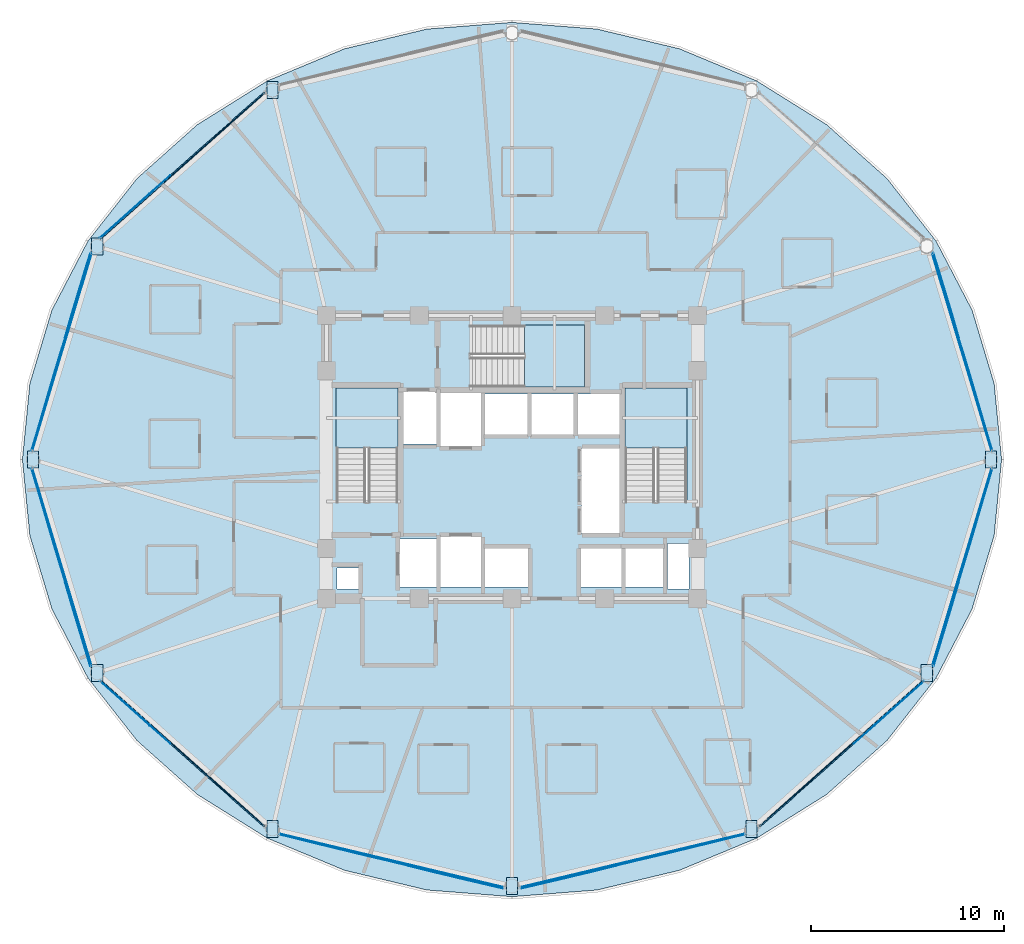
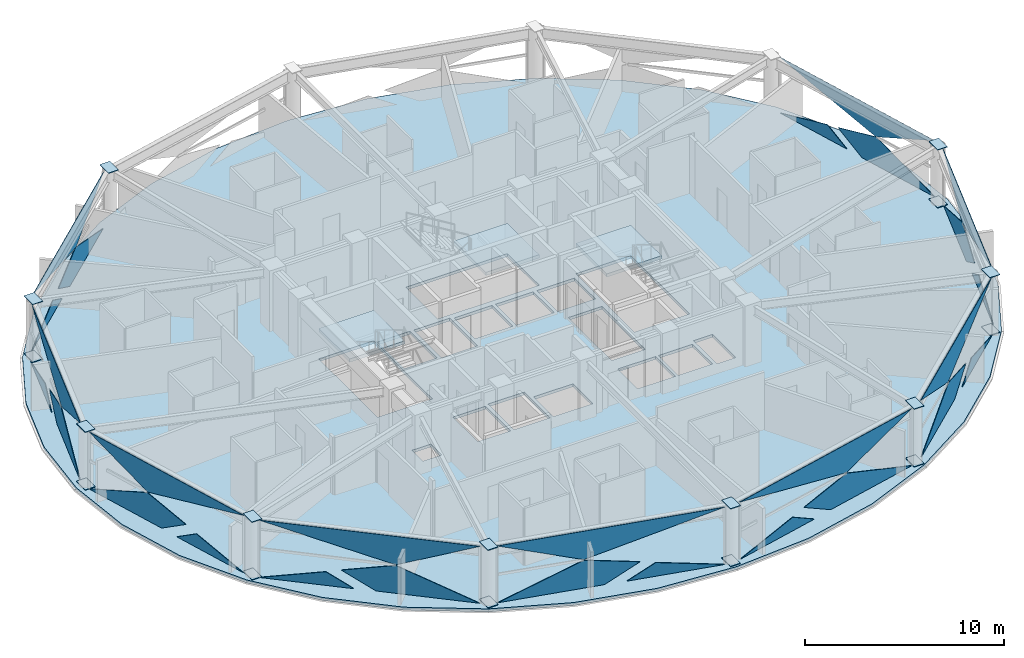
# One storey, part 21 of 30: 44 plates, 4 slabs, 12 elements without a shape of their own.
"""IFC4 building model written with IfcOpenShell, lengths in metres."""

from ifc_helpers import new_model, si_unit, direction, frame, origin, place, context, subcontext, project, spatial, polyline, outline, extrude, material, layer, layer_set, type_object, element, aggregate, save


model = new_model("IFC4")

# Units and contexts
model_context = context("Model", 3, precision=1e-05, world=origin(), true_north=direction((0.0, 1.0)))
body_context = subcontext(model_context, "Body", "Model", "MODEL_VIEW")
ifc_project = project(units=[si_unit("LENGTHUNIT", "METRE"), si_unit("AREAUNIT", "SQUARE_METRE"), si_unit("VOLUMEUNIT", "CUBIC_METRE"), si_unit("PLANEANGLEUNIT", "RADIAN"), si_unit("MASSUNIT", "GRAM", prefix="KILO")], contexts=[model_context])

# Site, building, storey
site_placement = place(None, origin())
site = spatial("IfcSite", under=ifc_project, at=site_placement, CompositionType="ELEMENT")
building_placement = place(site_placement, origin())
building = spatial("IfcBuilding", under=site, at=building_placement, Name="Vantalir Tower", CompositionType="ELEMENT")
storey_placement = place(building_placement, frame((0.0, 0.0, 153.449951171875)))
storey = spatial("IfcBuildingStorey", under=building, at=storey_placement, Name="L38", CompositionType="ELEMENT", Elevation=153.449951171875)

# Curtain wall, plates
ifc_material_1 = material(Name="Champagne-silver PVDF aluminium and double-silver Low-E glass", Category="aluminium")
ifc_layer_1 = layer(ifc_material_1, 0.199951171875)
ifc_layer_set_1 = layer_set([ifc_layer_1], Name="Champagne-silver PVDF aluminium and double-silver Low-E glass")
curtain_wall_type = type_object("IfcCurtainWallType", Name="CW-DIAMOND-Z2", PredefinedType="USERDEFINED", material=ifc_layer_set_1)
curtain_wall_1_placement = place(storey_placement, origin())
curtain_wall_1 = element("IfcCurtainWall", 1, at=curtain_wall_1_placement, inside=storey, type_object=curtain_wall_type, Name="L38 Quilted Pyramid-Diamond Curtain Wall S01", ObjectType="UNITISED CURTAIN WALL", PredefinedType="USERDEFINED")
ifc_material_2 = material(Name="Double-silver Low-E laminated glass IGU", Category="glass")
ifc_layer_2 = layer(ifc_material_2, 0.028076171875)
ifc_layer_set_2 = layer_set([ifc_layer_2], Name="Double-silver Low-E laminated glass IGU")
plate_type_1 = type_object("IfcPlateType", Name="CWP-IGU-28", PredefinedType="CURTAIN_PANEL", material=ifc_layer_set_2)
plate_1_placement = place(storey_placement, frame((56.342041015625, 25.435546875, 0.046875), z_axis=(-0.957566913957, -0.287888346912, 0.013634698631), x_axis=(-0.287915742147, 0.957655743513, -4.838949e-05)))
plate_1 = element("IfcPlate", 2, at=plate_1_placement, type_object=plate_type_1, Name="CW-L38-S01 Pyramid Diamond Facet 1L", PredefinedType="CURTAIN_PANEL", context=body_context, shape_type="SweptSolid", body=[
    extrude(outline(polyline([(0.0, 0.0), (5.034458357519594, 2.168404344971009e-18), (6.719622438079555, -1.0382634708680605), (4.073073516229771, -1.726432324139746), (0.0, 0.0)])), origin(), (0.0, 0.0, -1.0), 0.028076171875),
])
plate_2_placement = place(storey_placement, frame((54.610595703125, 31.30615234375, 0.046142578125), z_axis=(-0.957551992968, -0.287935586513, 0.013684983867), x_axis=(-0.287962552413, 0.95764167015, 0.0)))
plate_2 = element("IfcPlate", 3, at=plate_2_placement, type_object=plate_type_1, Name="CW-L38-S01 Pyramid Diamond Facet 1L Infill Light", PredefinedType="CURTAIN_PANEL", context=body_context, shape_type="SweptSolid", body=[
    extrude(outline(polyline([(0.0, 0.0), (4.590949320649077, -3.469446951953614e-18), (1.3625101502766328, -0.8396782400162731), (0.0, 0.0)])), origin(), (0.0, 0.0, -1.0), 0.028076171875),
])
plate_3_placement = place(storey_placement, frame((53.258056640625, 35.693359375, 3.5234375), z_axis=(0.957566223786, 0.287889443995, 0.013659981737), x_axis=(0.28791660525, -0.957655484974, -2.2792638e-05)))
plate_3 = element("IfcPlate", 4, at=plate_3_placement, type_object=plate_type_1, Name="CW-L38-S01 Pyramid Diamond Facet 2U", PredefinedType="CURTAIN_PANEL", context=body_context, shape_type="SweptSolid", body=[
    extrude(outline(polyline([(0.0, 0.0), (10.711380721923996, -4.0657581468206416e-19), (6.6382630411626815, 1.7263281259955592), (0.0, 0.0)])), origin(), (0.0, 0.0, -1.0), 0.028076171875),
])
aggregate(curtain_wall_1, [plate_1, plate_2, plate_3])

curtain_wall_2_placement = place(storey_placement, origin())
curtain_wall_2 = element("IfcCurtainWall", 5, at=curtain_wall_2_placement, inside=storey, type_object=curtain_wall_type, Name="L38 Quilted Pyramid-Diamond Curtain Wall S05", ObjectType="UNITISED CURTAIN WALL", PredefinedType="USERDEFINED")
plate_4_placement = place(storey_placement, frame((18.67431640625, 43.974365234375, 0.046630859375), z_axis=(0.665364839777, -0.746389940748, 0.013845083552), x_axis=(-0.746461490425, -0.665428616241, 3.27085e-07)))
plate_4 = element("IfcPlate", 6, at=plate_4_placement, type_object=plate_type_1, Name="CW-L38-S05 Pyramid Diamond Facet 1L", PredefinedType="CURTAIN_PANEL", context=body_context, shape_type="SweptSolid", body=[
    extrude(outline(polyline([(0.0, 0.0), (5.336589688107844, 0.0), (7.112925685285545, -1.0384272825281444), (4.314463159447936, -1.7267283373698534), (0.0, 0.0)])), origin(), (0.0, 0.0, -1.0), 0.028076171875),
])
plate_5_placement = place(storey_placement, frame((13.826416015625, 39.69580078125, 0.046142578125), z_axis=(0.665345002922, -0.746408645149, 0.013789906969), x_axis=(-0.74647916335, -0.665408788769, -5.0136286e-05)))
plate_5 = element("IfcPlate", 7, at=plate_5_placement, type_object=plate_type_1, Name="CW-L38-S05 Pyramid Diamond Facet 1L Infill Light", PredefinedType="CURTAIN_PANEL", context=body_context, shape_type="SweptSolid", body=[
    extrude(outline(polyline([(0.0, 0.0), (4.86953949164861, -6.5865281978494394e-18), (1.4417227021834769, -0.843170034872012), (0.0, 0.0)])), origin(), (0.0, 0.0, -1.0), 0.028076171875),
])
plate_6_placement = place(storey_placement, frame((10.212646484375, 36.431640625, 3.523681640625), z_axis=(-0.665345833599, 0.746406703398, 0.0138547766), x_axis=(0.74647815315, 0.665409923586, -2.1537787e-05)))
plate_6 = element("IfcPlate", 8, at=plate_6_placement, type_object=plate_type_1, Name="CW-L38-S05 Pyramid Diamond Facet 2U", PredefinedType="CURTAIN_PANEL", context=body_context, shape_type="SweptSolid", body=[
    extrude(outline(polyline([(0.0, 0.0), (11.335455547054119, 6.559423143537302e-18), (7.021029539217253, 1.7268211673781466), (0.0, 0.0)])), origin(), (0.0, 0.0, -1.0), 0.028076171875),
])
aggregate(curtain_wall_2, [plate_4, plate_5, plate_6])

curtain_wall_3_placement = place(storey_placement, origin())
curtain_wall_3 = element("IfcCurtainWall", 9, at=curtain_wall_3_placement, inside=storey, type_object=curtain_wall_type, Name="L38 Quilted Pyramid-Diamond Curtain Wall S06", ObjectType="UNITISED CURTAIN WALL", PredefinedType="USERDEFINED")
plate_7_placement = place(storey_placement, frame((8.107421875, 30.2568359375, 0.046630859375), z_axis=(0.957566913957, -0.287888346912, 0.013634698631), x_axis=(-0.287915742147, -0.957655743513, 4.838949e-05)))
plate_7 = element("IfcPlate", 10, at=plate_7_placement, type_object=plate_type_1, Name="CW-L38-S06 Pyramid Diamond Facet 1L", PredefinedType="CURTAIN_PANEL", context=body_context, shape_type="SweptSolid", body=[
    extrude(outline(polyline([(0.0, 0.0), (5.034458357519594, -2.168404344971009e-18), (0.9613848412898236, -1.726432324139746), (-1.6851640805599613, -1.0382634708680605), (0.0, 0.0)])), origin(), (0.0, 0.0, -1.0), 0.028076171875),
])
plate_8_placement = place(storey_placement, frame((9.71142578125, 35.70263671875, 0.046142578125), z_axis=(0.957551992968, -0.287935586513, 0.013684983867), x_axis=(-0.287962552413, -0.95764167015, 0.0)))
plate_8 = element("IfcPlate", 11, at=plate_8_placement, type_object=plate_type_1, Name="CW-L38-S06 Pyramid Diamond Facet 1L Infill Light", PredefinedType="CURTAIN_PANEL", context=body_context, shape_type="SweptSolid", body=[
    extrude(outline(polyline([(0.0, 0.0), (4.590949320649077, 3.469446951953614e-18), (3.2284391703724444, -0.8396782400162731), (0.0, 0.0)])), origin(), (0.0, 0.0, -1.0), 0.028076171875),
])
plate_9_placement = place(storey_placement, frame((6.657958984375, 25.435546875, 3.523193359375), z_axis=(-0.957566223786, 0.287889443995, 0.013659981737), x_axis=(0.28791660525, 0.957655484974, 2.2792638e-05)))
plate_9 = element("IfcPlate", 12, at=plate_9_placement, type_object=plate_type_1, Name="CW-L38-S06 Pyramid Diamond Facet 2U", PredefinedType="CURTAIN_PANEL", context=body_context, shape_type="SweptSolid", body=[
    extrude(outline(polyline([(0.0, 0.0), (10.711380721923996, 4.0657581468206416e-19), (4.073117680761316, 1.7263281259955592), (0.0, 0.0)])), origin(), (0.0, 0.0, -1.0), 0.028076171875),
])
aggregate(curtain_wall_3, [plate_7, plate_8, plate_9])

curtain_wall_4_placement = place(storey_placement, origin())
curtain_wall_4 = element("IfcCurtainWall", 13, at=curtain_wall_4_placement, inside=storey, type_object=curtain_wall_type, Name="L38 Quilted Pyramid-Diamond Curtain Wall S07", ObjectType="UNITISED CURTAIN WALL", PredefinedType="USERDEFINED")
plate_10_placement = place(storey_placement, frame((6.657958984375, 24.564453125, 0.046875), z_axis=(0.957574475188, 0.287864461801, 0.013607942525), x_axis=(0.287891748073, -0.957662956918, -4.8346186e-05)))
plate_10 = element("IfcPlate", 14, at=plate_10_placement, type_object=plate_type_1, Name="CW-L38-S07 Pyramid Diamond Facet 1L", PredefinedType="CURTAIN_PANEL", context=body_context, shape_type="SweptSolid", body=[
    extrude(outline(polyline([(0.0, 0.0), (5.034925965771087, 3.6591823321385775e-18), (6.720090444480758, -1.0382628240103766), (4.0733079848823035, -1.7264317251786228), (0.0, 0.0)])), origin(), (0.0, 0.0, -1.0), 0.028076171875),
])
plate_11_placement = place(storey_placement, frame((8.389404296875, 18.693359375, 0.046142578125), z_axis=(0.957560363767, 0.287906128251, 0.013719003516), x_axis=(0.287933225634, -0.957650488214, 0.0)))
plate_11 = element("IfcPlate", 15, at=plate_11_placement, type_object=plate_type_1, Name="CW-L38-S07 Pyramid Diamond Facet 1L Infill Light", PredefinedType="CURTAIN_PANEL", context=body_context, shape_type="SweptSolid", body=[
    extrude(outline(polyline([(0.0, 0.0), (4.591416921273787, 0.0), (1.3627443029242376, -0.8396786314949723), (0.0, 0.0)])), origin(), (0.0, 0.0, -1.0), 0.028076171875),
])
plate_12_placement = place(storey_placement, frame((9.741943359375, 14.3056640625, 3.5234375), z_axis=(-0.957574056886, -0.287864394284, 0.013638771276), x_axis=(-0.287891469353, 0.957663041656, -2.2790648e-05)))
plate_12 = element("IfcPlate", 16, at=plate_12_placement, type_object=plate_type_1, Name="CW-L38-S07 Pyramid Diamond Facet 2U", PredefinedType="CURTAIN_PANEL", context=body_context, shape_type="SweptSolid", body=[
    extrude(outline(polyline([(0.0, 0.0), (10.712315936048489, 6.965998958219366e-18), (6.638963829850021, 1.7263276233514293), (0.0, 0.0)])), origin(), (0.0, 0.0, -1.0), 0.028076171875),
])
aggregate(curtain_wall_4, [plate_10, plate_11, plate_12])

curtain_wall_5_placement = place(storey_placement, origin())
curtain_wall_5 = element("IfcCurtainWall", 17, at=curtain_wall_5_placement, inside=storey, type_object=curtain_wall_type, Name="L38 Quilted Pyramid-Diamond Curtain Wall S08", ObjectType="UNITISED CURTAIN WALL", PredefinedType="USERDEFINED")
plate_13_placement = place(storey_placement, frame((14.690185546875, 9.576171875, 0.046630859375), z_axis=(0.665333561856, 0.746419304299, 0.013764942365), x_axis=(0.746490026247, -0.665396604075, 1.63045e-07)))
plate_13 = element("IfcPlate", 18, at=plate_13_placement, type_object=plate_type_1, Name="CW-L38-S08 Pyramid Diamond Facet 1L", PredefinedType="CURTAIN_PANEL", context=body_context, shape_type="SweptSolid", body=[
    extrude(outline(polyline([(0.0, 0.0), (5.3359002908382855, -6.938893903907228e-18), (1.0219638983916277, -1.726725925645532), (-1.7761736474333678, -1.038429619890012), (0.0, 0.0)])), origin(), (0.0, 0.0, -1.0), 0.028076171875),
])
plate_14_placement = place(storey_placement, frame((10.19140625, 13.54345703125, 0.0458984375), z_axis=(0.665366409752, 0.74638863552, 0.013839997853), x_axis=(0.746459666732, -0.66543066012, 5.0141712e-05)))
plate_14 = element("IfcPlate", 19, at=plate_14_placement, type_object=plate_type_1, Name="CW-L38-S08 Pyramid Diamond Facet 1L Infill Light", PredefinedType="CURTAIN_PANEL", context=body_context, shape_type="SweptSolid", body=[
    extrude(outline(polyline([(0.0, 0.0), (4.869012548642021, -2.927345865710862e-18), (3.4272901923268257, -0.8431706262662725), (0.0, 0.0)])), origin(), (0.0, 0.0, -1.0), 0.028076171875),
])
plate_15_placement = place(storey_placement, frame((18.67333984375, 6.025634765625, 3.5234375), z_axis=(-0.66534154062, -0.746412380464, 0.013754730655), x_axis=(-0.746482801, 0.665404709442, 2.1540407e-05)))
plate_15 = element("IfcPlate", 20, at=plate_15_placement, type_object=plate_type_1, Name="CW-L38-S08 Pyramid Diamond Facet 2U", PredefinedType="CURTAIN_PANEL", context=body_context, shape_type="SweptSolid", body=[
    extrude(outline(polyline([(0.0, 0.0), (11.334076750380675, -2.520770051028798e-18), (4.313899224444293, 1.7268187819530145), (0.0, 0.0)])), origin(), (0.0, 0.0, -1.0), 0.028076171875),
])
aggregate(curtain_wall_5, [plate_13, plate_14, plate_15])

curtain_wall_6_placement = place(storey_placement, origin())
curtain_wall_6 = element("IfcCurtainWall", 21, at=curtain_wall_6_placement, inside=storey, type_object=curtain_wall_type, Name="L38 Quilted Pyramid-Diamond Curtain Wall S09", ObjectType="UNITISED CURTAIN WALL", PredefinedType="USERDEFINED")
plate_16_placement = place(storey_placement, frame((19.45556640625, 5.617431640625, 0.046630859375), z_axis=(0.232287094158, 0.972551780071, 0.013628681833), x_axis=(0.97264211356, -0.232308671662, 1.42105e-07)))
plate_16 = element("IfcPlate", 22, at=plate_16_placement, type_object=plate_type_1, Name="CW-L38-S09 Pyramid Diamond Facet 1L", PredefinedType="CURTAIN_PANEL", context=body_context, shape_type="SweptSolid", body=[
    extrude(outline(polyline([(0.0, 0.0), (5.624342736639577, 0.0), (7.485415204821628, -1.0379371313593602), (4.535822048992081, -1.7269671870365577), (0.0, 0.0)])), origin(), (0.0, 0.0, -1.0), 0.028076171875),
])
plate_17_placement = place(storey_placement, frame((26.055419921875, 4.00830078125, 0.046142578125), z_axis=(0.232276059095, 0.972552154704, 0.013789080899), x_axis=(0.972644779023, -0.232297506614, -4.7543493e-05)))
plate_17 = element("IfcPlate", 23, at=plate_17_placement, type_object=plate_type_1, Name="CW-L38-S09 Pyramid Diamond Facet 1L Infill Light", PredefinedType="CURTAIN_PANEL", context=body_context, shape_type="SweptSolid", body=[
    extrude(outline(polyline([(0.0, 0.0), (5.135100721218333, -2.439454888092385e-18), (1.5160648839122943, -0.8453672960876546), (0.0, 0.0)])), origin(), (0.0, 0.0, -1.0), 0.028076171875),
])
plate_18_placement = place(storey_placement, frame((31.0576171875, 2.8466796875, 3.523681640625), z_axis=(-0.232262020823, -0.972556350699, 0.013729471903), x_axis=(-0.972648091392, 0.232283641034, -2.0467322e-05)))
plate_18 = element("IfcPlate", 24, at=plate_18_placement, type_object=plate_type_1, Name="CW-L38-S09 Pyramid Diamond Facet 2U", PredefinedType="CURTAIN_PANEL", context=body_context, shape_type="SweptSolid", body=[
    extrude(outline(polyline([(0.0, 0.0), (11.928312905690158, -1.8973538018496328e-18), (7.392527054850973, 1.7270622582842574), (0.0, 0.0)])), origin(), (0.0, 0.0, -1.0), 0.028076171875),
])
aggregate(curtain_wall_6, [plate_16, plate_17, plate_18])

curtain_wall_7_placement = place(storey_placement, origin())
curtain_wall_7 = element("IfcCurtainWall", 25, at=curtain_wall_7_placement, inside=storey, type_object=curtain_wall_type, Name="L38 Quilted Pyramid-Diamond Curtain Wall S10", ObjectType="UNITISED CURTAIN WALL", PredefinedType="USERDEFINED")
plate_19_placement = place(storey_placement, frame((38.073974609375, 4.310791015625, 0.046630859375), z_axis=(-0.232287094158, 0.972551780071, 0.013628681833), x_axis=(0.97264211356, 0.232308671662, -1.42105e-07)))
plate_19 = element("IfcPlate", 26, at=plate_19_placement, type_object=plate_type_1, Name="CW-L38-S10 Pyramid Diamond Facet 1L", PredefinedType="CURTAIN_PANEL", context=body_context, shape_type="SweptSolid", body=[
    extrude(outline(polyline([(0.0, 0.0), (5.624342736639577, 0.0), (1.0885206876474949, -1.7269671870365577), (-1.861072468182051, -1.0379371313593602), (0.0, 0.0)])), origin(), (0.0, 0.0, -1.0), 0.028076171875),
])
plate_20_placement = place(storey_placement, frame((31.949951171875, 2.8154296875, 0.0458984375), z_axis=(-0.232276059095, 0.972552154704, 0.013789080899), x_axis=(0.972644779023, 0.232297506614, 4.7543493e-05)))
plate_20 = element("IfcPlate", 27, at=plate_20_placement, type_object=plate_type_1, Name="CW-L38-S10 Pyramid Diamond Facet 1L Infill Light", PredefinedType="CURTAIN_PANEL", context=body_context, shape_type="SweptSolid", body=[
    extrude(outline(polyline([(0.0, 0.0), (5.135100721218333, 2.439454888092385e-18), (3.619035837306038, -0.8453672960876545), (0.0, 0.0)])), origin(), (0.0, 0.0, -1.0), 0.028076171875),
])
plate_21_placement = place(storey_placement, frame((43.54443359375, 5.617431640625, 3.5234375), z_axis=(0.232262020823, -0.972556350699, 0.013729471903), x_axis=(-0.972648091392, -0.232283641034, 2.0467322e-05)))
plate_21 = element("IfcPlate", 28, at=plate_21_placement, type_object=plate_type_1, Name="CW-L38-S10 Pyramid Diamond Facet 2U", PredefinedType="CURTAIN_PANEL", context=body_context, shape_type="SweptSolid", body=[
    extrude(outline(polyline([(0.0, 0.0), (11.928312905690158, 1.8973538018496328e-18), (4.535785850839186, 1.7270622582842574), (0.0, 0.0)])), origin(), (0.0, 0.0, -1.0), 0.028076171875),
])
aggregate(curtain_wall_7, [plate_19, plate_20, plate_21])

curtain_wall_8_placement = place(storey_placement, origin())
curtain_wall_8 = element("IfcCurtainWall", 29, at=curtain_wall_8_placement, inside=storey, type_object=curtain_wall_type, Name="L38 Quilted Pyramid-Diamond Curtain Wall S11", ObjectType="UNITISED CURTAIN WALL", PredefinedType="USERDEFINED")
plate_22_placement = place(storey_placement, frame((44.32666015625, 6.025634765625, 0.046630859375), z_axis=(-0.665333561856, 0.746419304299, 0.013764942365), x_axis=(0.746490026247, 0.665396604075, -1.63045e-07)))
plate_22 = element("IfcPlate", 30, at=plate_22_placement, type_object=plate_type_1, Name="CW-L38-S11 Pyramid Diamond Facet 1L", PredefinedType="CURTAIN_PANEL", context=body_context, shape_type="SweptSolid", body=[
    extrude(outline(polyline([(0.0, 0.0), (5.3359002908382855, 6.938893903907228e-18), (7.112073938271654, -1.038429619890012), (4.313936392446658, -1.726725925645532), (0.0, 0.0)])), origin(), (0.0, 0.0, -1.0), 0.028076171875),
])
plate_23_placement = place(storey_placement, frame((49.174072265625, 10.303466796875, 0.046142578125), z_axis=(-0.665366409752, 0.74638863552, 0.013839997853), x_axis=(0.746459666732, 0.66543066012, -5.0141712e-05)))
plate_23 = element("IfcPlate", 31, at=plate_23_placement, type_object=plate_type_1, Name="CW-L38-S11 Pyramid Diamond Facet 1L Infill Light", PredefinedType="CURTAIN_PANEL", context=body_context, shape_type="SweptSolid", body=[
    extrude(outline(polyline([(0.0, 0.0), (4.869012548642021, 2.927345865710862e-18), (1.441722356315195, -0.8431706262662725), (0.0, 0.0)])), origin(), (0.0, 0.0, -1.0), 0.028076171875),
])
plate_24_placement = place(storey_placement, frame((52.787353515625, 13.5673828125, 3.523681640625), z_axis=(0.66534154062, -0.746412380464, 0.013754730655), x_axis=(-0.746482801, -0.665404709442, -2.1540407e-05)))
plate_24 = element("IfcPlate", 32, at=plate_24_placement, type_object=plate_type_1, Name="CW-L38-S11 Pyramid Diamond Facet 2U", PredefinedType="CURTAIN_PANEL", context=body_context, shape_type="SweptSolid", body=[
    extrude(outline(polyline([(0.0, 0.0), (11.334076750380675, 2.520770051028798e-18), (7.020177525936381, 1.7268187819530145), (0.0, 0.0)])), origin(), (0.0, 0.0, -1.0), 0.028076171875),
])
aggregate(curtain_wall_8, [plate_22, plate_23, plate_24])

curtain_wall_9_placement = place(storey_placement, origin())
curtain_wall_9 = element("IfcCurtainWall", 33, at=curtain_wall_9_placement, inside=storey, type_object=curtain_wall_type, Name="L38 Quilted Pyramid-Diamond Curtain Wall S12", ObjectType="UNITISED CURTAIN WALL", PredefinedType="USERDEFINED")
plate_25_placement = place(storey_placement, frame((54.892578125, 19.74267578125, 0.046630859375), z_axis=(-0.957574475188, 0.287864461801, 0.013607942525), x_axis=(0.287891748073, 0.957662956918, 4.8346186e-05)))
plate_25 = element("IfcPlate", 34, at=plate_25_placement, type_object=plate_type_1, Name="CW-L38-S12 Pyramid Diamond Facet 1L", PredefinedType="CURTAIN_PANEL", context=body_context, shape_type="SweptSolid", body=[
    extrude(outline(polyline([(0.0, 0.0), (5.034925965771087, -3.6591823321385775e-18), (0.9616179808887839, -1.7264317251786228), (-1.6851644787096713, -1.0382628240103766), (0.0, 0.0)])), origin(), (0.0, 0.0, -1.0), 0.028076171875),
])
plate_26_placement = place(storey_placement, frame((53.28857421875, 14.29638671875, 0.046142578125), z_axis=(-0.957560363767, 0.287906128251, 0.013719003516), x_axis=(0.287933225634, 0.957650488214, 0.0)))
plate_26 = element("IfcPlate", 35, at=plate_26_placement, type_object=plate_type_1, Name="CW-L38-S12 Pyramid Diamond Facet 1L Infill Light", PredefinedType="CURTAIN_PANEL", context=body_context, shape_type="SweptSolid", body=[
    extrude(outline(polyline([(0.0, 0.0), (4.591416921273787, 0.0), (3.2286726183495493, -0.8396786314949723), (0.0, 0.0)])), origin(), (0.0, 0.0, -1.0), 0.028076171875),
])
plate_27_placement = place(storey_placement, frame((56.342041015625, 24.564453125, 3.523193359375), z_axis=(0.957574056886, -0.287864394284, 0.013638771276), x_axis=(-0.287891469353, -0.957663041656, 2.2790648e-05)))
plate_27 = element("IfcPlate", 36, at=plate_27_placement, type_object=plate_type_1, Name="CW-L38-S12 Pyramid Diamond Facet 2U", PredefinedType="CURTAIN_PANEL", context=body_context, shape_type="SweptSolid", body=[
    extrude(outline(polyline([(0.0, 0.0), (10.712315936048489, -6.965998958219366e-18), (4.073352106198467, 1.7263276233514293), (0.0, 0.0)])), origin(), (0.0, 0.0, -1.0), 0.028076171875),
])
aggregate(curtain_wall_9, [plate_25, plate_26, plate_27])

# Plates
ifc_material_3 = material(Name="Steel S460", Category="steel")
ifc_layer_3 = layer(ifc_material_3, 0.035888671875)
ifc_layer_set_3 = layer_set([ifc_layer_3], Name="Steel S460")
plate_type_2 = type_object("IfcPlateType", Name="PLT-KN-Z2", PredefinedType="USERDEFINED", material=ifc_layer_set_3)
for number, where, z_axis, x_axis, name in (
    (37, (55.992919921875, 25.43994140625, 3.59814453125), (0.0, 0.0, 1.0), (0.0, -1.0, 0.0), "L38 Ring Column Top Cap RC01"),
    (38, (55.992919921875, 25.43994140625, 0.052978515625), (0.0, 0.0, 1.0), (0.0, -1.0, 0.0), "L38 Ring Column Base Cap RC01"),
):
    element("IfcPlate", number, at=place(storey_placement, frame(where, z_axis=z_axis, x_axis=x_axis)), inside=storey, type_object=plate_type_2, Name=name, ObjectType="FLANGE_PLATE", PredefinedType="USERDEFINED", context=body_context, shape_type="SweptSolid", body=[
        extrude(outline(polyline([(0.0, 0.0), (0.8798828125, 0.0), (0.8798828125, 0.580078125), (0.0, 0.580078125), (0.0, 0.0)])), origin(), (0.0, 0.0, -1.0), 0.035888671875),
    ])
plate_28_placement = place(storey_placement, frame((18.819091796875, 44.552001953125, 3.59814453125), z_axis=(0.0, 0.0, 1.0), x_axis=(0.0, -1.0, 0.0)))
element("IfcPlate", 39, at=plate_28_placement, inside=storey, type_object=plate_type_2, Name="L38 Ring Column Top Cap RC05", ObjectType="FLANGE_PLATE", PredefinedType="USERDEFINED", context=body_context, shape_type="SweptSolid", body=[
    extrude(outline(polyline([(0.0, 0.0), (0.8798828125, 0.0), (0.8798828125, 0.579833984375), (0.0, 0.579833984375), (0.0, 0.0)])), origin(), (0.0, 0.0, -1.0), 0.035888671875),
])
for number, where, z_axis, x_axis, name in (
    (40, (9.7470703125, 36.47412109375, 3.59814453125), (0.0, 0.0, 1.0), (0.0, -1.0, 0.0), "L38 Ring Column Top Cap RC06"),
    (41, (9.7470703125, 36.47412109375, 0.052978515625), (0.0, 0.0, 1.0), (0.0, -1.0, 0.0), "L38 Ring Column Base Cap RC06"),
):
    element("IfcPlate", number, at=place(storey_placement, frame(where, z_axis=z_axis, x_axis=x_axis)), inside=storey, type_object=plate_type_2, Name=name, ObjectType="FLANGE_PLATE", PredefinedType="USERDEFINED", context=body_context, shape_type="SweptSolid", body=[
        extrude(outline(polyline([(0.0, 0.0), (0.880126953125, 0.0), (0.880126953125, 0.579833984375), (0.0, 0.579833984375), (0.0, 0.0)])), origin(), (0.0, 0.0, -1.0), 0.035888671875),
    ])
for number, where, z_axis, x_axis, name in (
    (42, (6.427001953125, 25.43994140625, 3.59814453125), (0.0, 0.0, 1.0), (0.0, -1.0, 0.0), "L38 Ring Column Top Cap RC07"),
    (43, (6.427001953125, 25.43994140625, 0.052978515625), (0.0, 0.0, 1.0), (0.0, -1.0, 0.0), "L38 Ring Column Base Cap RC07"),
):
    element("IfcPlate", number, at=place(storey_placement, frame(where, z_axis=z_axis, x_axis=x_axis)), inside=storey, type_object=plate_type_2, Name=name, ObjectType="FLANGE_PLATE", PredefinedType="USERDEFINED", context=body_context, shape_type="SweptSolid", body=[
        extrude(outline(polyline([(0.0, 0.0), (0.8798828125, 0.0), (0.8798828125, 0.580078125), (0.0, 0.580078125), (0.0, 0.0)])), origin(), (0.0, 0.0, -1.0), 0.035888671875),
    ])
for number, where, z_axis, x_axis, name in (
    (44, (9.7470703125, 14.405029296875, 3.59814453125), (0.0, 0.0, 1.0), (0.0, -1.0, 0.0), "L38 Ring Column Top Cap RC08"),
    (45, (9.7470703125, 14.405029296875, 0.052978515625), (0.0, 0.0, 1.0), (0.0, -1.0, 0.0), "L38 Ring Column Base Cap RC08"),
):
    element("IfcPlate", number, at=place(storey_placement, frame(where, z_axis=z_axis, x_axis=x_axis)), inside=storey, type_object=plate_type_2, Name=name, ObjectType="FLANGE_PLATE", PredefinedType="USERDEFINED", context=body_context, shape_type="SweptSolid", body=[
        extrude(outline(polyline([(0.0, 0.0), (0.880126953125, 0.0), (0.880126953125, 0.579833984375), (0.0, 0.579833984375), (0.0, 0.0)])), origin(), (0.0, 0.0, -1.0), 0.035888671875),
    ])
for number, where, z_axis, x_axis, name in (
    (46, (18.818115234375, 6.327880859375, 3.59814453125), (0.0, 0.0, 1.0), (0.0, -1.0, 0.0), "L38 Ring Column Top Cap RC09"),
    (47, (18.818115234375, 6.327880859375, 0.052978515625), (0.0, 0.0, 1.0), (0.0, -1.0, 0.0), "L38 Ring Column Base Cap RC09"),
):
    element("IfcPlate", number, at=place(storey_placement, frame(where, z_axis=z_axis, x_axis=x_axis)), inside=storey, type_object=plate_type_2, Name=name, ObjectType="FLANGE_PLATE", PredefinedType="USERDEFINED", context=body_context, shape_type="SweptSolid", body=[
        extrude(outline(polyline([(0.0, 0.0), (0.8798828125, 0.0), (0.8798828125, 0.579833984375), (0.0, 0.579833984375), (0.0, 0.0)])), origin(), (0.0, 0.0, -1.0), 0.035888671875),
    ])
for number, where, z_axis, x_axis, name in (
    (48, (31.2099609375, 3.37109375, 3.59814453125), (0.0, 0.0, 1.0), (0.0, -1.0, 0.0), "L38 Ring Column Top Cap RC10"),
    (49, (31.2099609375, 3.37109375, 0.052978515625), (0.0, 0.0, 1.0), (0.0, -1.0, 0.0), "L38 Ring Column Base Cap RC10"),
):
    element("IfcPlate", number, at=place(storey_placement, frame(where, z_axis=z_axis, x_axis=x_axis)), inside=storey, type_object=plate_type_2, Name=name, ObjectType="FLANGE_PLATE", PredefinedType="USERDEFINED", context=body_context, shape_type="SweptSolid", body=[
        extrude(outline(polyline([(0.0, 0.0), (0.880126953125, 0.0), (0.880126953125, 0.580078125), (0.0, 0.580078125), (0.0, 0.0)])), origin(), (0.0, 0.0, -1.0), 0.035888671875),
    ])
for number, where, z_axis, x_axis, name in (
    (50, (43.60205078125, 6.327880859375, 3.59814453125), (0.0, 0.0, 1.0), (0.0, -1.0, 0.0), "L38 Ring Column Top Cap RC11"),
    (51, (43.60205078125, 6.327880859375, 0.052978515625), (0.0, 0.0, 1.0), (0.0, -1.0, 0.0), "L38 Ring Column Base Cap RC11"),
):
    element("IfcPlate", number, at=place(storey_placement, frame(where, z_axis=z_axis, x_axis=x_axis)), inside=storey, type_object=plate_type_2, Name=name, ObjectType="FLANGE_PLATE", PredefinedType="USERDEFINED", context=body_context, shape_type="SweptSolid", body=[
        extrude(outline(polyline([(0.0, 0.0), (0.8798828125, 0.0), (0.8798828125, 0.579833984375), (0.0, 0.579833984375), (0.0, 0.0)])), origin(), (0.0, 0.0, -1.0), 0.035888671875),
    ])
for number, where, z_axis, x_axis, name in (
    (52, (52.673095703125, 14.405029296875, 3.59814453125), (0.0, 0.0, 1.0), (0.0, -1.0, 0.0), "L38 Ring Column Top Cap RC12"),
    (53, (52.673095703125, 14.405029296875, 0.052978515625), (0.0, 0.0, 1.0), (0.0, -1.0, 0.0), "L38 Ring Column Base Cap RC12"),
):
    element("IfcPlate", number, at=place(storey_placement, frame(where, z_axis=z_axis, x_axis=x_axis)), inside=storey, type_object=plate_type_2, Name=name, ObjectType="FLANGE_PLATE", PredefinedType="USERDEFINED", context=body_context, shape_type="SweptSolid", body=[
        extrude(outline(polyline([(0.0, 0.0), (0.880126953125, 0.0), (0.880126953125, 0.579833984375), (0.0, 0.579833984375), (0.0, 0.0)])), origin(), (0.0, 0.0, -1.0), 0.035888671875),
    ])

# Stair, slab
ifc_material_4 = material(Name="Concrete C40/50", Category="concrete")
stair_type = type_object("IfcStairType", Name="STR-CORE-1450", PredefinedType="HALF_TURN_STAIR", material=ifc_material_4)
stair_1_placement = place(storey_placement, origin())
stair_1 = element("IfcStair", 54, at=stair_1_placement, inside=storey, type_object=stair_type, Name="L38 Core Exit Stair 1", PredefinedType="HALF_TURN_STAIR")
ifc_layer_4 = layer(ifc_material_4, 0.199951171875)
ifc_layer_set_4 = layer_set([ifc_layer_4], Name="Concrete C40/50")
slab_type_1 = type_object("IfcSlabType", Name="SL-LAND-200", PredefinedType="LANDING", material=ifc_layer_set_4)
slab_1_placement = place(storey_placement, frame((0.0, 0.0, 1.675048828125)))
slab_1 = element("IfcSlab", 55, at=slab_1_placement, type_object=slab_type_1, Name="ST1 landing 1", PredefinedType="LANDING", context=body_context, shape_type="SweptSolid", body=[
    extrude(outline(polyline([(25.60009765625, 25.590087890625), (25.60009765625, 28.699951171875), (22.39990234375, 28.699951171875), (22.39990234375, 25.590087890625), (25.60009765625, 25.590087890625)])), origin(), (0.0, 0.0, 1.0), 0.199951171875),
])
aggregate(stair_1, [slab_1])

stair_2_placement = place(storey_placement, origin())
stair_2 = element("IfcStair", 56, at=stair_2_placement, inside=storey, type_object=stair_type, Name="L38 Core Exit Stair 2", PredefinedType="HALF_TURN_STAIR")
slab_2_placement = place(storey_placement, frame((0.0, 0.0, 1.675048828125)))
slab_2 = element("IfcSlab", 57, at=slab_2_placement, type_object=slab_type_1, Name="ST2 landing 1", PredefinedType="LANDING", context=body_context, shape_type="SweptSolid", body=[
    extrude(outline(polyline([(40.550048828125, 25.590087890625), (40.550048828125, 28.699951171875), (37.35009765625, 28.699951171875), (37.35009765625, 25.590087890625), (40.550048828125, 25.590087890625)])), origin(), (0.0, 0.0, 1.0), 0.199951171875),
])
aggregate(stair_2, [slab_2])

stair_3_placement = place(storey_placement, origin())
stair_3 = element("IfcStair", 58, at=stair_3_placement, inside=storey, type_object=stair_type, Name="L38 Core Exit Stair 3", PredefinedType="HALF_TURN_STAIR")
slab_3_placement = place(storey_placement, frame((0.0, 0.0, 1.675048828125)))
slab_3 = element("IfcSlab", 59, at=slab_3_placement, type_object=slab_type_1, Name="ST3 landing 1", PredefinedType="LANDING", context=body_context, shape_type="SweptSolid", body=[
    extrude(outline(polyline([(32.139892578125, 28.75), (35.25, 28.75), (35.25, 31.949951171875), (32.139892578125, 31.949951171875), (32.139892578125, 28.75)])), origin(), (0.0, 0.0, 1.0), 0.199951171875),
])
aggregate(stair_3, [slab_3])

# Slab
ifc_layer_5 = layer(ifc_material_4, 0.179931640625)
ifc_layer_set_5 = layer_set([ifc_layer_5], Name="Concrete C40/50")
slab_type_2 = type_object("IfcSlabType", Name="SL-TWR-180", PredefinedType="FLOOR", material=ifc_layer_set_5)
slab_4_placement = place(storey_placement, frame((0.0, 0.0, -0.179931640625)))
element("IfcSlab", 60, at=slab_4_placement, inside=storey, type_object=slab_type_2, Name="L38 Primary Structural Slab", PredefinedType="FLOOR", context=body_context, shape_type="SweptSolid", body=[
    extrude(outline(polyline([(9.56103515625, 13.68994140625), (12.093994140625, 10.4609375), (15.216064453125, 7.673095703125), (18.8330078125, 5.410888671875), (22.8359375, 3.7451171875), (27.10107421875, 2.72509765625), (31.5, 2.381103515625), (35.89892578125, 2.72509765625), (40.1640625, 3.7451171875), (44.1669921875, 5.410888671875), (47.783935546875, 7.673095703125), (50.906005859375, 10.4609375), (53.43896484375, 13.68994140625), (55.304931640625, 17.263916015625), (56.447998046875, 21.072021484375), (56.8330078125, 25.0), (56.447998046875, 28.927978515625), (55.304931640625, 32.736083984375), (53.43896484375, 36.30908203125), (50.906005859375, 39.5390625), (47.783935546875, 42.326904296875), (44.1669921875, 44.589111328125), (40.1640625, 46.2548828125), (35.89892578125, 47.27490234375), (31.5, 47.618896484375), (27.10107421875, 47.27490234375), (22.8359375, 46.2548828125), (18.833984375, 44.589111328125), (15.216064453125, 42.326904296875), (12.093994140625, 39.5390625), (9.56103515625, 36.30908203125), (7.695068359375, 32.736083984375), (6.552001953125, 28.927978515625), (6.1669921875, 25.0), (6.552001953125, 21.072021484375), (7.695068359375, 17.263916015625), (9.56103515625, 13.68994140625)]), holes=[polyline([(22.39990234375, 22.7900390625), (22.39990234375, 28.699951171875), (25.60009765625, 28.699951171875), (25.60009765625, 22.7900390625), (22.39990234375, 22.7900390625)]), polyline([(37.35009765625, 28.699951171875), (40.550048828125, 28.699951171875), (40.550048828125, 22.7900390625), (37.35009765625, 22.7900390625), (37.35009765625, 28.699951171875)]), polyline([(35.25, 28.75), (29.340087890625, 28.75), (29.340087890625, 31.949951171875), (35.25, 31.949951171875), (35.25, 28.75)]), polyline([(27.60009765625, 18.39990234375), (25.699951171875, 18.39990234375), (25.699951171875, 20.89990234375), (27.60009765625, 20.89990234375), (27.60009765625, 18.39990234375)]), polyline([(25.699951171875, 25.800048828125), (25.699951171875, 28.5), (27.60009765625, 28.5), (27.60009765625, 25.800048828125), (25.699951171875, 25.800048828125)]), polyline([(27.800048828125, 21.0), (29.89990234375, 21.0), (29.89990234375, 18.39990234375), (27.800048828125, 18.39990234375), (27.800048828125, 21.0)]), polyline([(29.89990234375, 28.5), (29.89990234375, 25.699951171875), (27.800048828125, 25.699951171875), (27.800048828125, 28.5), (29.89990234375, 28.5)]), polyline([(32.39990234375, 18.39990234375), (30.10009765625, 18.39990234375), (30.10009765625, 20.39990234375), (32.39990234375, 20.39990234375), (32.39990234375, 18.39990234375)]), polyline([(37.35009765625, 18.39990234375), (37.35009765625, 20.39990234375), (39.35009765625, 20.39990234375), (39.35009765625, 18.39990234375), (37.35009765625, 18.39990234375)]), polyline([(35.0, 20.39990234375), (37.199951171875, 20.39990234375), (37.199951171875, 18.39990234375), (35.0, 18.39990234375), (35.0, 20.39990234375)]), polyline([(32.300048828125, 28.39990234375), (32.300048828125, 26.300048828125), (30.10009765625, 26.300048828125), (30.10009765625, 28.39990234375), (32.300048828125, 28.39990234375)]), polyline([(34.699951171875, 26.300048828125), (32.5, 26.300048828125), (32.5, 28.39990234375), (34.699951171875, 28.39990234375), (34.699951171875, 26.300048828125)]), polyline([(34.89990234375, 26.300048828125), (34.89990234375, 28.39990234375), (37.10009765625, 28.39990234375), (37.10009765625, 26.300048828125), (34.89990234375, 26.300048828125)]), polyline([(35.10009765625, 25.56005859375), (37.06005859375, 25.56005859375), (37.06005859375, 21.199951171875), (35.10009765625, 21.199951171875), (35.10009765625, 25.56005859375)]), polyline([(23.550048828125, 19.39990234375), (23.550048828125, 18.300048828125), (22.449951171875, 18.300048828125), (22.449951171875, 19.39990234375), (23.550048828125, 19.39990234375)]), polyline([(40.64990234375, 18.300048828125), (39.550048828125, 18.300048828125), (39.550048828125, 20.64990234375), (40.64990234375, 20.64990234375), (40.64990234375, 18.300048828125)])]), origin(), (0.0, 0.0, 1.0), 0.179931640625),
])

save(model, "model.ifc")
